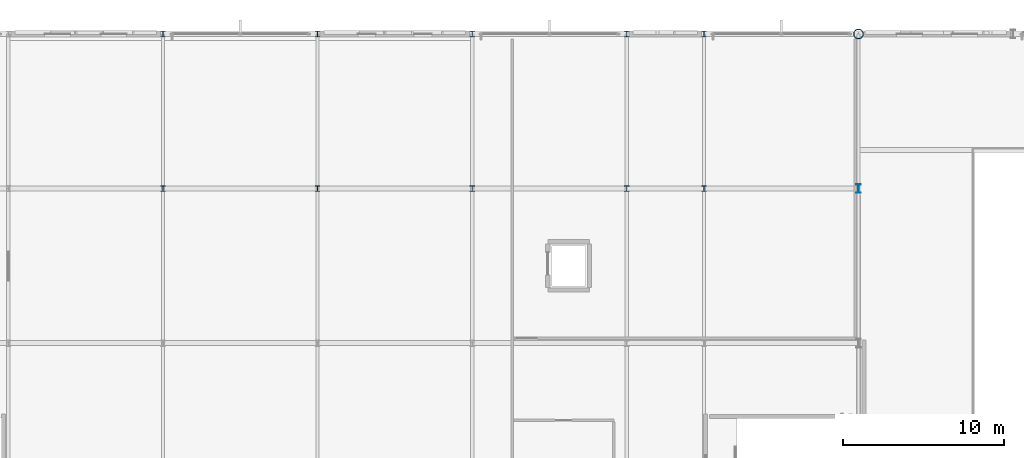
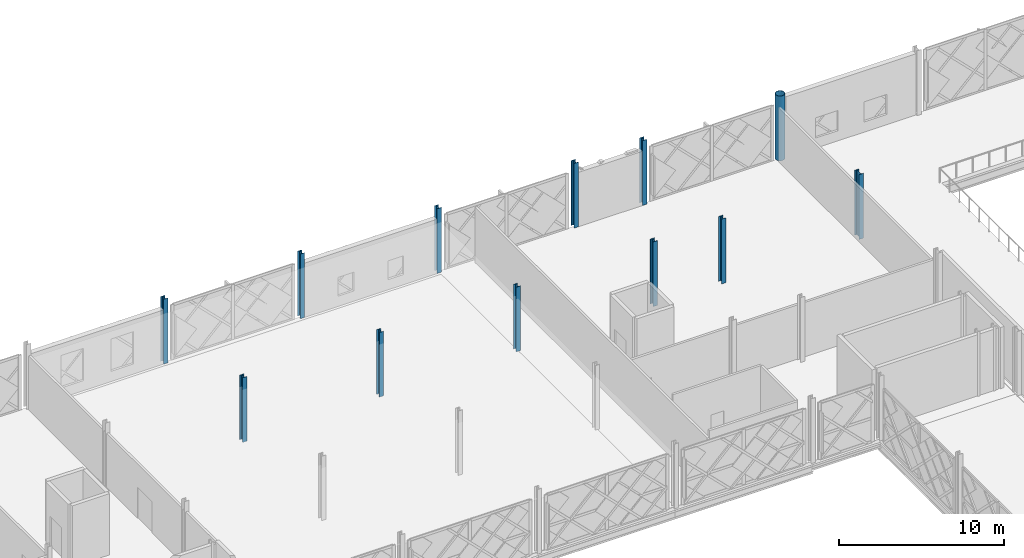
# One storey, part 12 of 77: 12 columns.
"""IFC4 building model written with IfcOpenShell, lengths in metres."""

from ifc_helpers import new_model, si_unit, direction, frame, origin, origin_2d, place, context, subcontext, project, spatial, hollow_circle, i_section, extrude, material, material_profile, profile_set, type_object, element, save


model = new_model("IFC4")

# Units and contexts
model_context = context("Model", 3, precision=1e-05, world=origin(), true_north=direction((0.0, 1.0)))
body_context = subcontext(model_context, "Body", "Model", "MODEL_VIEW")
ifc_project = project(units=[si_unit("LENGTHUNIT", "METRE"), si_unit("AREAUNIT", "SQUARE_METRE"), si_unit("VOLUMEUNIT", "CUBIC_METRE"), si_unit("PLANEANGLEUNIT", "RADIAN"), si_unit("MASSUNIT", "GRAM", prefix="KILO")], contexts=[model_context])

# Site, building, storey
site_placement = place(None, origin())
site = spatial("IfcSite", under=ifc_project, at=site_placement, CompositionType="ELEMENT")
building_placement = place(site_placement, origin())
building = spatial("IfcBuilding", under=site, at=building_placement, Name="Zevrakil Square Congress Hotel", CompositionType="ELEMENT")
storey_placement = place(building_placement, frame((0.0, 0.0, 9.89990234375)))
storey = spatial("IfcBuildingStorey", under=building, at=storey_placement, Name="L03", CompositionType="ELEMENT", Elevation=9.89990234375)

# Columns
ifc_material_1 = material(Name="Steel S355", Category="steel")
ifc_material_profile_1 = material_profile(ifc_material_1, hollow_circle(Radius=0.304931640625, WallThickness=0.02490234375, at=origin_2d()), Name="CHS 610x25")
ifc_profile_set_1 = profile_set([ifc_material_profile_1], Name="Steel S355")
column_type_1 = type_object("IfcColumnType", Name="COL-CHS610", PredefinedType="COLUMN", material=ifc_profile_set_1)
column_1_placement = place(storey_placement, frame((117.60009765625, 112.800048828125, 0.0), z_axis=(0.0, 0.0, 1.0), x_axis=(1.0, 0.0, 0.0)))
element("IfcColumn", 1, at=column_1_placement, inside=storey, type_object=column_type_1, Name="L03 column C-193", PredefinedType="COLUMN", context=body_context, shape_type="SweptSolid", body=[
    extrude(hollow_circle(Radius=0.304931640625, WallThickness=0.02490234375, at=origin_2d()), origin(), (0.0, 0.0, 1.0), 4.800048828125),
])
ifc_material_2 = material(Name="Steel S355", Category="steel")
ifc_material_profile_2 = material_profile(ifc_material_2, i_section(OverallWidth=0.300048828125, OverallDepth=0.360107421875, WebThickness=0.012451171875, FlangeThickness=0.0224609375, FilletRadius=0.027099609375, at=origin_2d()), Name="HEB 360")
ifc_profile_set_2 = profile_set([ifc_material_profile_2], Name="Steel S355")
column_type_2 = type_object("IfcColumnType", Name="COL-HEB360", PredefinedType="COLUMN", material=ifc_profile_set_2)
for number, where, z_axis, x_axis, name in (
    (2, (74.39990234375, 103.199951171875, 0.0), (0.0, 0.0, 1.0), (1.0, 0.0, 0.0), "L03 column C-122"),
    (3, (74.39990234375, 112.800048828125, 0.0), (0.0, 0.0, 1.0), (1.0, 0.0, 0.0), "L03 column C-123"),
    (4, (84.0, 103.199951171875, 0.0), (0.0, 0.0, 1.0), (1.0, 0.0, 0.0), "L03 column C-134"),
    (5, (84.0, 112.800048828125, 0.0), (0.0, 0.0, 1.0), (1.0, 0.0, 0.0), "L03 column C-135"),
    (6, (93.60009765625, 103.199951171875, 0.0), (0.0, 0.0, 1.0), (1.0, 0.0, 0.0), "L03 column C-146"),
    (7, (93.60009765625, 112.800048828125, 0.0), (0.0, 0.0, 1.0), (1.0, 0.0, 0.0), "L03 column C-147"),
    (8, (103.199951171875, 103.199951171875, 0.0), (0.0, 0.0, 1.0), (1.0, 0.0, 0.0), "L03 column C-160"),
    (9, (103.199951171875, 112.800048828125, 0.0), (0.0, 0.0, 1.0), (1.0, 0.0, 0.0), "L03 column C-161"),
    (10, (108.0, 103.199951171875, 0.0), (0.0, 0.0, 1.0), (1.0, 0.0, 0.0), "L03 column C-174"),
    (11, (108.0, 112.800048828125, 0.0), (0.0, 0.0, 1.0), (1.0, 0.0, 0.0), "L03 column C-175"),
):
    element("IfcColumn", number, at=place(storey_placement, frame(where, z_axis=z_axis, x_axis=x_axis)), inside=storey, type_object=column_type_2, Name=name, PredefinedType="COLUMN", context=body_context, shape_type="SweptSolid", body=[
        extrude(i_section(OverallWidth=0.300048828125, OverallDepth=0.360107421875, WebThickness=0.012451171875, FlangeThickness=0.0224609375, FilletRadius=0.027099609375, at=origin_2d()), origin(), (0.0, 0.0, 1.0), 4.800048828125),
    ])
ifc_material_3 = material(Name="Steel S355", Category="steel")
ifc_material_profile_3 = material_profile(ifc_material_3, i_section(OverallWidth=0.300048828125, OverallDepth=0.550048828125, WebThickness=0.014892578125, FlangeThickness=0.029052734375, FilletRadius=0.027099609375, at=origin_2d()), Name="HEB 550")
ifc_profile_set_3 = profile_set([ifc_material_profile_3], Name="Steel S355")
column_type_3 = type_object("IfcColumnType", Name="COL-HEB550", PredefinedType="COLUMN", material=ifc_profile_set_3)
column_2_placement = place(storey_placement, frame((117.60009765625, 103.199951171875, 0.0), z_axis=(0.0, 0.0, 1.0), x_axis=(1.0, 0.0, 0.0)))
element("IfcColumn", 12, at=column_2_placement, inside=storey, type_object=column_type_3, Name="L03 column C-192", PredefinedType="COLUMN", context=body_context, shape_type="SweptSolid", body=[
    extrude(i_section(OverallWidth=0.300048828125, OverallDepth=0.550048828125, WebThickness=0.014892578125, FlangeThickness=0.029052734375, FilletRadius=0.027099609375, at=origin_2d()), origin(), (0.0, 0.0, 1.0), 4.800048828125),
])

save(model, "model.ifc")
